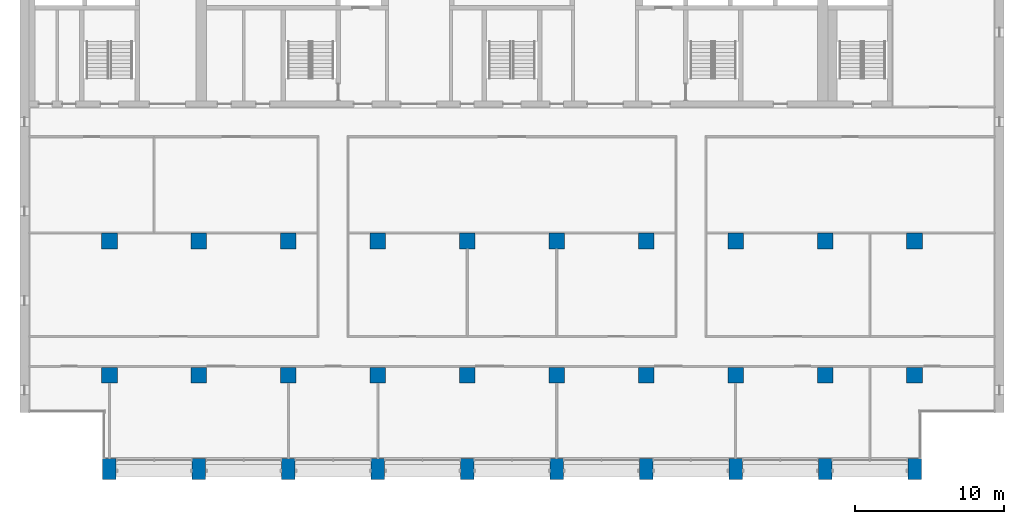
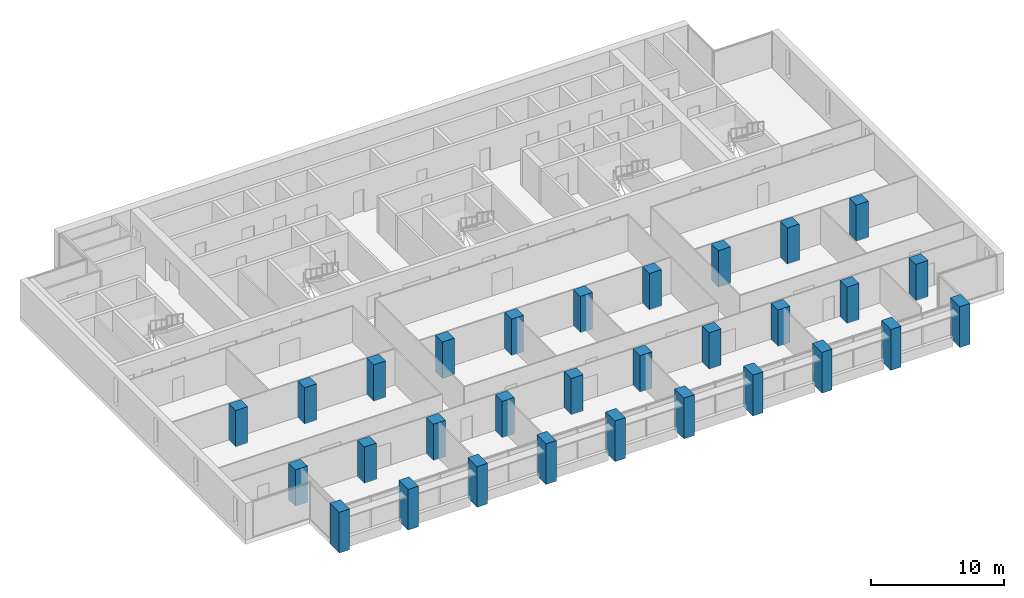
# One storey, part 1 of 17: 30 columns.
"""IFC4 building model written with IfcOpenShell, lengths in metres."""

from ifc_helpers import new_model, si_unit, direction, frame, origin, origin_2d, place, context, subcontext, project, spatial, rectangle, extrude, material, material_profile, profile_set, type_object, element, save


model = new_model("IFC4")

# Units and contexts
model_context = context("Model", 3, precision=1e-05, world=origin(), true_north=direction((0.0, 1.0)))
body_context = subcontext(model_context, "Body", "Model", "MODEL_VIEW")
ifc_project = project(units=[si_unit("LENGTHUNIT", "METRE"), si_unit("AREAUNIT", "SQUARE_METRE"), si_unit("VOLUMEUNIT", "CUBIC_METRE"), si_unit("PLANEANGLEUNIT", "RADIAN"), si_unit("MASSUNIT", "GRAM", prefix="KILO")], contexts=[model_context])

# Site, building, storey
site_placement = place(None, origin())
site = spatial("IfcSite", under=ifc_project, at=site_placement, CompositionType="ELEMENT")
building_placement = place(site_placement, origin())
building = spatial("IfcBuilding", under=site, at=building_placement, Name="Calvaro Tower", CompositionType="ELEMENT")
storey_placement = place(building_placement, frame((0.0, 0.0, 204.25)))
storey = spatial("IfcBuildingStorey", under=building, at=storey_placement, Name="L51", CompositionType="ELEMENT", Elevation=204.25)

# Columns
ifc_material_1 = material(Name="Concrete C50/60", Category="concrete")
ifc_material_profile_1 = material_profile(ifc_material_1, rectangle(XDim=1.050048828125, YDim=1.050048828125, at=origin_2d()), Name="RC 1050x1050")
ifc_profile_set_1 = profile_set([ifc_material_profile_1], Name="Concrete C50/60")
column_type_1 = type_object("IfcColumnType", Name="Column 1050x1050 C50/60", PredefinedType="COLUMN", material=ifc_profile_set_1)
for number, where, z_axis, x_axis, name in (
    (1, (12.0, 10.0, 0.0), (0.0, 0.0, 1.0), (1.0, 0.0, 0.0), "Column 3B"),
    (2, (12.0, 19.0, 0.0), (0.0, 0.0, 1.0), (1.0, 0.0, 0.0), "Column 3C"),
    (3, (18.0, 10.0, 0.0), (0.0, 0.0, 1.0), (1.0, 0.0, 0.0), "Column 4B"),
    (4, (18.0, 19.0, 0.0), (0.0, 0.0, 1.0), (1.0, 0.0, 0.0), "Column 4C"),
    (5, (24.0, 10.0, 0.0), (0.0, 0.0, 1.0), (1.0, 0.0, 0.0), "Column 5B"),
    (6, (24.0, 19.0, 0.0), (0.0, 0.0, 1.0), (1.0, 0.0, 0.0), "Column 5C"),
    (7, (30.0, 10.0, 0.0), (0.0, 0.0, 1.0), (1.0, 0.0, 0.0), "Column 6B"),
    (8, (30.0, 19.0, 0.0), (0.0, 0.0, 1.0), (1.0, 0.0, 0.0), "Column 6C"),
    (9, (36.0, 10.0, 0.0), (0.0, 0.0, 1.0), (1.0, 0.0, 0.0), "Column 7B"),
    (10, (36.0, 19.0, 0.0), (0.0, 0.0, 1.0), (1.0, 0.0, 0.0), "Column 7C"),
    (11, (42.0, 10.0, 0.0), (0.0, 0.0, 1.0), (1.0, 0.0, 0.0), "Column 8B"),
    (12, (42.0, 19.0, 0.0), (0.0, 0.0, 1.0), (1.0, 0.0, 0.0), "Column 8C"),
    (13, (48.0, 10.0, 0.0), (0.0, 0.0, 1.0), (1.0, 0.0, 0.0), "Column 9B"),
    (14, (48.0, 19.0, 0.0), (0.0, 0.0, 1.0), (1.0, 0.0, 0.0), "Column 9C"),
    (15, (54.0, 10.0, 0.0), (0.0, 0.0, 1.0), (1.0, 0.0, 0.0), "Column 10B"),
    (16, (54.0, 19.0, 0.0), (0.0, 0.0, 1.0), (1.0, 0.0, 0.0), "Column 10C"),
    (17, (60.0, 10.0, 0.0), (0.0, 0.0, 1.0), (1.0, 0.0, 0.0), "Column 11B"),
    (18, (60.0, 19.0, 0.0), (0.0, 0.0, 1.0), (1.0, 0.0, 0.0), "Column 11C"),
    (19, (66.0, 10.0, 0.0), (0.0, 0.0, 1.0), (1.0, 0.0, 0.0), "Column 12B"),
    (20, (66.0, 19.0, 0.0), (0.0, 0.0, 1.0), (1.0, 0.0, 0.0), "Column 12C"),
):
    element("IfcColumn", number, at=place(storey_placement, frame(where, z_axis=z_axis, x_axis=x_axis)), inside=storey, type_object=column_type_1, Name=name, PredefinedType="COLUMN", context=body_context, shape_type="SweptSolid", body=[
        extrude(rectangle(XDim=1.050048828125, YDim=1.050048828125, at=origin_2d()), origin(), (0.0, 0.0, 1.0), 3.35009765625),
    ])
ifc_material_2 = material(Name="Concrete C50/60", Category="concrete")
ifc_material_profile_2 = material_profile(ifc_material_2, rectangle(XDim=0.89990234375, YDim=1.39990234375, at=origin_2d()), Name="RC 900x1400")
ifc_profile_set_2 = profile_set([ifc_material_profile_2], Name="Concrete C50/60")
column_type_2 = type_object("IfcColumnType", Name="Pier 900x1400 C50/60", PredefinedType="COLUMN", material=ifc_profile_set_2)
for number, where, z_axis, x_axis, name in (
    (21, (12.0, 3.699951171875, -0.39990234375), (0.0, 0.0, 1.0), (1.0, 0.0, 0.0), "South pier 3"),
    (22, (18.0, 3.699951171875, -0.39990234375), (0.0, 0.0, 1.0), (1.0, 0.0, 0.0), "South pier 4"),
    (23, (24.0, 3.699951171875, -0.39990234375), (0.0, 0.0, 1.0), (1.0, 0.0, 0.0), "South pier 5"),
    (24, (30.0, 3.699951171875, -0.39990234375), (0.0, 0.0, 1.0), (1.0, 0.0, 0.0), "South pier 6"),
    (25, (36.0, 3.699951171875, -0.39990234375), (0.0, 0.0, 1.0), (1.0, 0.0, 0.0), "South pier 7"),
    (26, (42.0, 3.699951171875, -0.39990234375), (0.0, 0.0, 1.0), (1.0, 0.0, 0.0), "South pier 8"),
    (27, (48.0, 3.699951171875, -0.39990234375), (0.0, 0.0, 1.0), (1.0, 0.0, 0.0), "South pier 9"),
    (28, (54.0, 3.699951171875, -0.39990234375), (0.0, 0.0, 1.0), (1.0, 0.0, 0.0), "South pier 10"),
    (29, (60.0, 3.699951171875, -0.39990234375), (0.0, 0.0, 1.0), (1.0, 0.0, 0.0), "South pier 11"),
    (30, (66.0, 3.699951171875, -0.39990234375), (0.0, 0.0, 1.0), (1.0, 0.0, 0.0), "South pier 12"),
):
    element("IfcColumn", number, at=place(storey_placement, frame(where, z_axis=z_axis, x_axis=x_axis)), inside=storey, type_object=column_type_2, Name=name, PredefinedType="COLUMN", context=body_context, shape_type="SweptSolid", body=[
        extrude(rectangle(XDim=0.89990234375, YDim=1.39990234375, at=origin_2d()), origin(), (0.0, 0.0, 1.0), 3.75),
    ])

save(model, "model.ifc")
